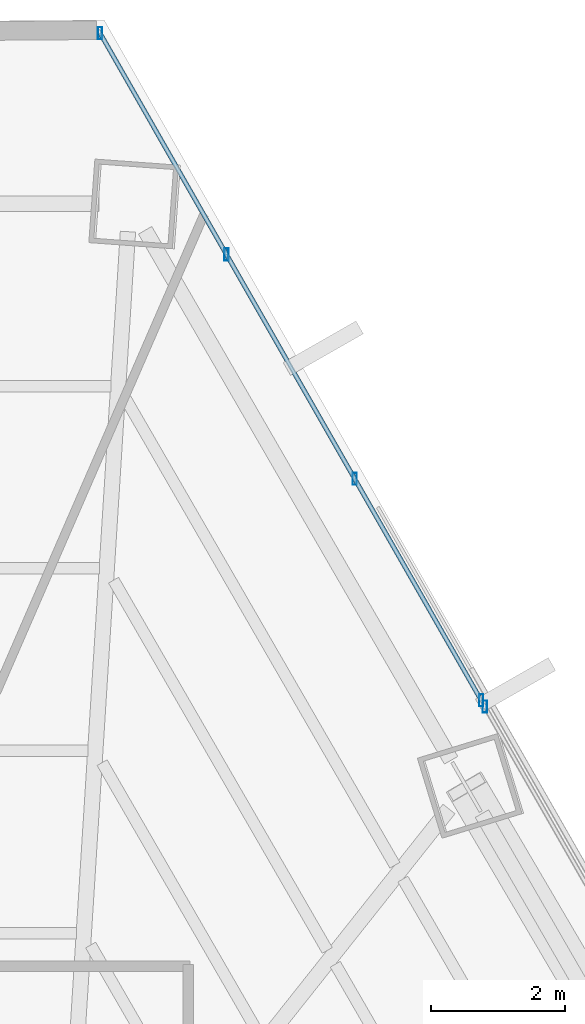
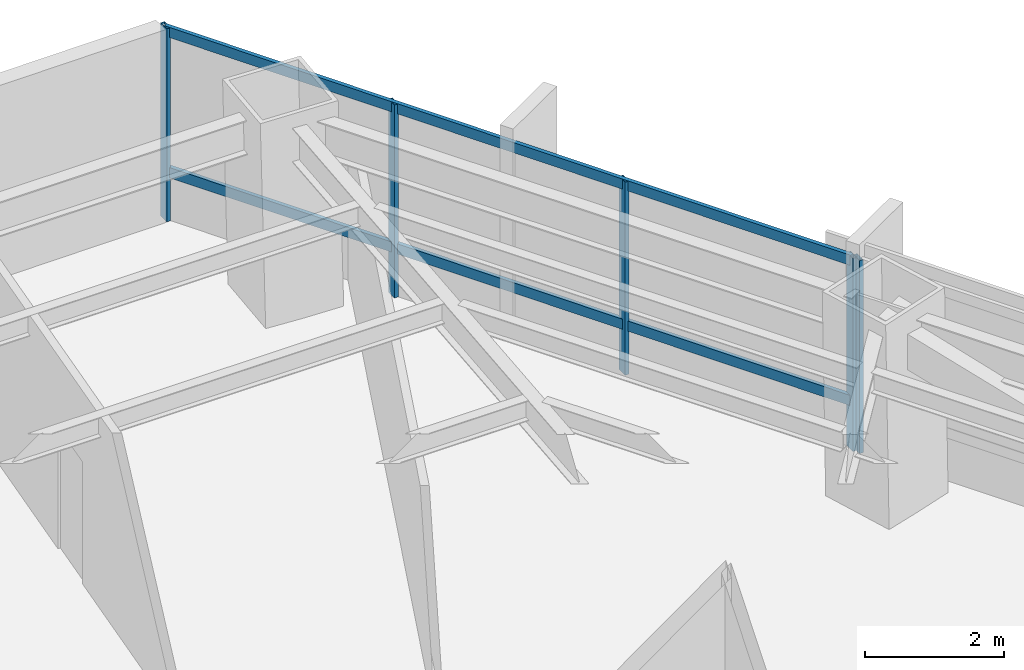
# One storey, part 27 of 34: 7 members, 2 elements without a shape of their own.
"""IFC4 building model written with IfcOpenShell, lengths in metres."""

from ifc_helpers import new_model, si_unit, direction, frame, origin, origin_2d, place, context, subcontext, project, spatial, hollow_rectangle, extrude, source, transform, mapped, material, material_profile, profile_set, type_object, type_shapes, element, aggregate, save


model = new_model("IFC4")

# Units and contexts
model_context = context("Model", 3, precision=1e-05, world=origin(), true_north=direction((0.0, 1.0)))
body_context = subcontext(model_context, "Body", "Model", "MODEL_VIEW")
ifc_project = project(units=[si_unit("LENGTHUNIT", "METRE"), si_unit("AREAUNIT", "SQUARE_METRE"), si_unit("VOLUMEUNIT", "CUBIC_METRE"), si_unit("PLANEANGLEUNIT", "RADIAN"), si_unit("MASSUNIT", "GRAM", prefix="KILO")], contexts=[model_context])

# Site, building, storey
site_placement = place(None, origin())
site = spatial("IfcSite", under=ifc_project, at=site_placement, CompositionType="ELEMENT")
building_placement = place(site_placement, origin())
building = spatial("IfcBuilding", under=site, at=building_placement, Name="Caelisora Broadcast Tower", CompositionType="ELEMENT")
storey_placement = place(building_placement, frame((0.0, 0.0, 56.800048828125)))
storey = spatial("IfcBuildingStorey", under=building, at=storey_placement, Name="L14", CompositionType="ELEMENT", Elevation=56.800048828125)

# Curtain wall, members
ifc_material_1 = material(Name="Unitised Aluminium and Low-E Glass Curtain Wall", Category="glass")
curtain_wall_type_1 = type_object("IfcCurtainWallType", Name="CW-Z1", PredefinedType="NOTDEFINED", material=ifc_material_1)
curtain_wall_1_placement = place(storey_placement, origin())
curtain_wall_1 = element("IfcCurtainWall", 1, at=curtain_wall_1_placement, inside=storey, type_object=curtain_wall_type_1, Name="L14 curtain wall CW-Z1", PredefinedType="NOTDEFINED")
ifc_material_2 = material(Name="Aluminium 6063-T6 Anodised Terracotta Bronze", Category="aluminium")
ifc_material_profile_1 = material_profile(ifc_material_2, hollow_rectangle(XDim=0.06494140625, YDim=0.179931640625, WallThickness=0.00341796875, at=origin_2d()), Name="Aluminium 6063-T6 Anodised Terracotta Bronze")
ifc_profile_set_1 = profile_set([ifc_material_profile_1], Name="Aluminium 6063-T6 Anodised Terracotta Bronze")
member_type_1 = type_object("IfcMemberType", Name="CWM-02", PredefinedType="MULLION", material=ifc_profile_set_1)
shared_shape_1 = source(origin(), body_context, "Body", "SweptSolid", [
    extrude(hollow_rectangle(XDim=0.06494140625, YDim=0.179931640625, WallThickness=0.00341796875, at=origin_2d()), origin(), (0.0, 0.0, 1.0), 3.39990234375),
])
type_shapes(member_type_1, [shared_shape_1])
member_1_placement = place(storey_placement, frame((46.083740234375, 48.87451171875, 0.0), z_axis=(0.0, 0.0, 1.0), x_axis=(1.0, 0.0, 0.0)))
member_1 = element("IfcMember", 2, at=member_1_placement, type_object=member_type_1, Name="L14-CW-B01 mullion #0", PredefinedType="MULLION", context=body_context, shape_type="MappedRepresentation", body=[
    mapped(shared_shape_1, transform((0.0, 0.0, 0.0), scale=1.0)),
])
member_2_placement = place(storey_placement, frame((47.97119140625, 45.570556640625, 0.0), z_axis=(0.0, 0.0, 1.0), x_axis=(1.0, 0.0, 0.0)))
member_2 = element("IfcMember", 3, at=member_2_placement, type_object=member_type_1, Name="L14-CW-B01 mullion #1", PredefinedType="MULLION", context=body_context, shape_type="MappedRepresentation", body=[
    mapped(shared_shape_1, transform((0.0, 0.0, 0.0), scale=1.0)),
])
member_3_placement = place(storey_placement, frame((49.88330078125, 42.22314453125, 0.0), z_axis=(0.0, 0.0, 1.0), x_axis=(1.0, 0.0, 0.0)))
member_3 = element("IfcMember", 4, at=member_3_placement, type_object=member_type_1, Name="L14-CW-B01 mullion #2", PredefinedType="MULLION", context=body_context, shape_type="MappedRepresentation", body=[
    mapped(shared_shape_1, transform((0.0, 0.0, 0.0), scale=1.0)),
])
member_4_placement = place(storey_placement, frame((51.770751953125, 38.919189453125, 0.0), z_axis=(0.0, 0.0, 1.0), x_axis=(1.0, 0.0, 0.0)))
member_4 = element("IfcMember", 5, at=member_4_placement, type_object=member_type_1, Name="L14-CW-B01 mullion #3", PredefinedType="MULLION", context=body_context, shape_type="MappedRepresentation", body=[
    mapped(shared_shape_1, transform((0.0, 0.0, 0.0), scale=1.0)),
])

# Curtain wall, member
ifc_material_3 = material(Name="Unitised Aluminium Insulated Shadow-Box Spandrel Curtain Wall", Category="aluminium")
curtain_wall_type_2 = type_object("IfcCurtainWallType", Name="CW-SP1", PredefinedType="NOTDEFINED", material=ifc_material_3)
curtain_wall_2_placement = place(storey_placement, origin())
curtain_wall_2 = element("IfcCurtainWall", 6, at=curtain_wall_2_placement, inside=storey, type_object=curtain_wall_type_2, Name="L14 curtain wall CW-SP1", PredefinedType="NOTDEFINED")
member_5_placement = place(storey_placement, frame((51.8251953125, 38.82373046875, 0.0), z_axis=(0.0, 0.0, 1.0), x_axis=(1.0, 0.0, 0.0)))
member_5 = element("IfcMember", 7, at=member_5_placement, type_object=member_type_1, Name="L14-CW-B02 mullion #0", PredefinedType="MULLION", context=body_context, shape_type="MappedRepresentation", body=[
    mapped(shared_shape_1, transform((0.0, 0.0, 0.0), scale=1.0)),
])
aggregate(curtain_wall_2, [member_5])

# Member
ifc_material_profile_2 = material_profile(ifc_material_2, hollow_rectangle(XDim=0.06494140625, YDim=0.179931640625, WallThickness=0.00341796875, at=origin_2d()), Name="Aluminium 6063-T6 Anodised Terracotta Bronze")
ifc_profile_set_2 = profile_set([ifc_material_profile_2], Name="Aluminium 6063-T6 Anodised Terracotta Bronze")
member_type_2 = type_object("IfcMemberType", Name="CWT-01", PredefinedType="USERDEFINED", material=ifc_profile_set_2)
shared_shape_2 = source(origin(), body_context, "Body", "SweptSolid", [
    extrude(hollow_rectangle(XDim=0.06494140625, YDim=0.179931640625, WallThickness=0.00341796875, at=origin_2d()), origin(), (0.0, 0.0, 1.0), 11.465087890625),
])
type_shapes(member_type_2, [shared_shape_2])
member_6_placement = place(storey_placement, frame((46.083740234375, 48.87451171875, 0.849853515625), z_axis=(0.496024273606, -0.868308654796, 0.0), x_axis=(0.868308654796, 0.496024273606, 0.0)))
member_6 = element("IfcMember", 8, at=member_6_placement, type_object=member_type_2, Name="L14-CW-B01 transom #1", ObjectType="TRANSOM", PredefinedType="USERDEFINED", context=body_context, shape_type="MappedRepresentation", body=[
    mapped(shared_shape_2, transform((0.0, 0.0, 0.0), scale=1.0)),
])

member_7_placement = place(storey_placement, frame((46.083740234375, 48.87451171875, 3.320068359375), z_axis=(0.496024273606, -0.868308654796, 0.0), x_axis=(0.868308654796, 0.496024273606, 0.0)))
member_7 = element("IfcMember", 9, at=member_7_placement, type_object=member_type_2, Name="L14-CW-B01 transom #2", ObjectType="TRANSOM", PredefinedType="USERDEFINED", context=body_context, shape_type="MappedRepresentation", body=[
    mapped(shared_shape_2, transform((0.0, 0.0, 0.0), scale=1.0)),
])

aggregate(curtain_wall_1, [member_1, member_2, member_3, member_4, member_6, member_7])

save(model, "model.ifc")
